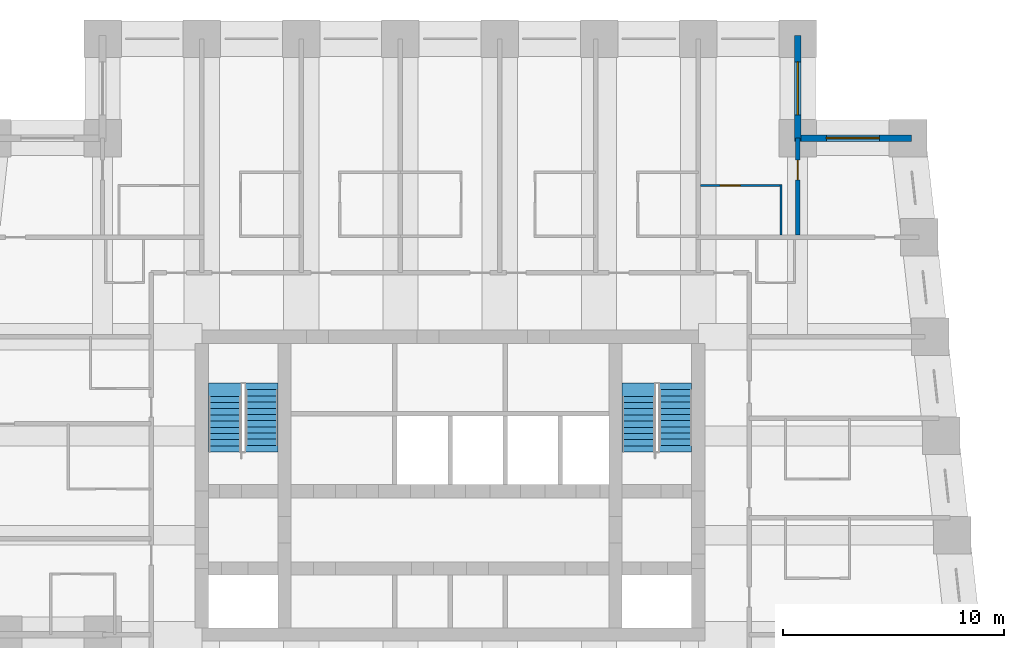
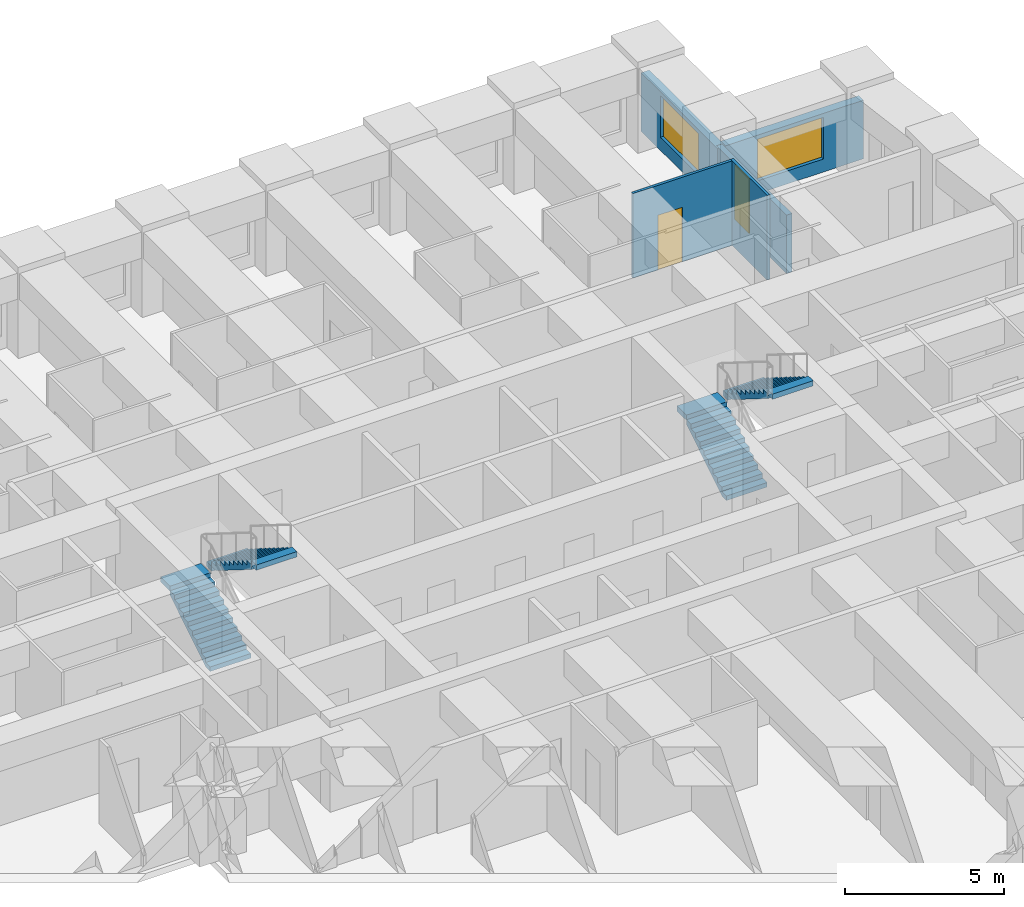
# One storey, part 7 of 8: 5 walls, 4 stair flights, 2 doors, 2 windows, 4 openings, 2 elements without a shape of their own.
"""IFC4 building model written with IfcOpenShell, lengths in metres."""

from ifc_helpers import new_model, si_unit, direction, frame, frame_2d, origin, place, context, subcontext, project, spatial, polyline, rectangle, outline, extrude, material, layer, layer_set, type_object, element, fill, aggregate, save


model = new_model("IFC4")

# Units and contexts
model_context = context("Model", 3, precision=1e-05, world=origin(), true_north=direction((0.0, 1.0)))
body_context = subcontext(model_context, "Body", "Model", "MODEL_VIEW")
ifc_project = project(units=[si_unit("LENGTHUNIT", "METRE"), si_unit("AREAUNIT", "SQUARE_METRE"), si_unit("VOLUMEUNIT", "CUBIC_METRE"), si_unit("PLANEANGLEUNIT", "RADIAN"), si_unit("MASSUNIT", "GRAM", prefix="KILO")], contexts=[model_context])

# Site, building, storey
site_placement = place(None, origin())
site = spatial("IfcSite", under=ifc_project, at=site_placement, CompositionType="ELEMENT")
building_placement = place(site_placement, origin())
building = spatial("IfcBuilding", under=site, at=building_placement, Name="Kilele Tower Hotel", CompositionType="ELEMENT")
storey_placement = place(building_placement, frame((0.0, 0.0, 186.89990234375)))
storey = spatial("IfcBuildingStorey", under=building, at=storey_placement, Name="L48", CompositionType="ELEMENT", Elevation=186.89990234375)

# Wall
ifc_material_1 = material(Name="Moisture-resistant board")
ifc_layer_1 = layer(ifc_material_1, 0.10009765625)
ifc_layer_set_1 = layer_set([ifc_layer_1], Name="Moisture-resistant board")
wall_type_1 = type_object("IfcWallType", Name="Bathroom partition 100", PredefinedType="PLUMBINGWALL", material=ifc_layer_set_1)
wall_1_placement = place(storey_placement, frame((39.75, 31.60009765625, 0.0), z_axis=(0.0, 0.0, 1.0), x_axis=(0.0, 1.0, 0.0)))
element("IfcWall", 1, at=wall_1_placement, inside=storey, type_object=wall_type_1, Name="Bathroom partition 100 L48", PredefinedType="PLUMBINGWALL", context=body_context, shape_type="SweptSolid", body=[
    extrude(rectangle(XDim=2.2998046875, YDim=0.10009765625, at=frame_2d((1.14990234375, 0.0))), origin(), (0.0, 0.0, 1.0), 3.25),
])

# Wall, opening, door
wall_2_placement = place(storey_placement, frame((36.10009765625, 33.85009765625, 0.0), z_axis=(0.0, 0.0, 1.0), x_axis=(1.0, 0.0, 0.0)))
wall_2 = element("IfcWall", 2, at=wall_2_placement, inside=storey, type_object=wall_type_1, Name="Bathroom partition 100 L48", PredefinedType="PLUMBINGWALL", context=body_context, shape_type="SweptSolid", body=[
    extrude(rectangle(XDim=3.699951171875, YDim=0.10009765625, at=frame_2d((1.85009765625, 0.0))), origin(), (0.0, 0.0, 1.0), 3.25),
])
opening_1_placement = place(wall_2_placement, frame((0.89990234375, 0.0, 0.0)))
opening_1 = element("IfcOpeningElement", 3, at=opening_1_placement, cuts=wall_2, Name="Opening D2A", PredefinedType="OPENING", context=body_context, shape_type="SweptSolid", body=[
    extrude(rectangle(XDim=0.89990234375, YDim=2.10009765625, at=frame_2d((0.449951171875, 1.050048828125))), frame((0.0, 0.06005859375, 0.0), z_axis=(0.0, -1.0, 0.0), x_axis=(1.0, 0.0, 0.0)), (0.0, 0.0, 1.0), 0.1201171875),
])
ifc_material_2 = material(Name="Timber door leaf in hardwood frame", Category="wood")
door_type_1 = type_object("IfcDoorType", Name="Bathroom door 900", OperationType="SINGLE_SWING_LEFT", PredefinedType="DOOR", material=ifc_material_2)
door_1_placement = place(opening_1_placement, origin())
door_1 = element("IfcDoor", 4, at=door_1_placement, inside=storey, type_object=door_type_1, Name="Bathroom door 4823B", OperationType="SINGLE_SWING_LEFT", OverallHeight=2.10009765625, OverallWidth=0.89990234375, PredefinedType="DOOR", context=body_context, shape_type="SweptSolid", body=[
    extrude(rectangle(XDim=0.89990234375, YDim=2.10009765625, at=frame_2d((0.449951171875, 1.050048828125))), frame((0.0, 0.02490234375, 0.0), z_axis=(0.0, -1.0, 0.0), x_axis=(1.0, 0.0, 0.0)), (0.0, 0.0, 1.0), 0.050048828125),
])
fill(opening_1, door_1)

ifc_material_3 = material(Name="Blockwork, plastered both sides", Category="masonry")
ifc_layer_2 = layer(ifc_material_3, 0.199951171875)
ifc_layer_set_2 = layer_set([ifc_layer_2], Name="Blockwork, plastered both sides")
wall_type_2 = type_object("IfcWallType", Name="Partition wall 200", PredefinedType="PARTITIONING", material=ifc_layer_set_2)
wall_3_placement = place(storey_placement, frame((40.5, 31.60009765625, 0.0), z_axis=(0.0, 0.0, 1.0), x_axis=(0.0, 1.0, 0.0)))
wall_3 = element("IfcWall", 5, at=wall_3_placement, inside=storey, type_object=wall_type_2, Name="Partition wall 200 L48", PredefinedType="PARTITIONING", context=body_context, shape_type="SweptSolid", body=[
    extrude(rectangle(XDim=4.39990234375, YDim=0.199951171875, at=frame_2d((2.199951171875, 0.0))), origin(), (0.0, 0.0, 1.0), 2.25),
])
opening_2_placement = place(wall_3_placement, frame((2.5, 0.0, 0.0)))
opening_2 = element("IfcOpeningElement", 6, at=opening_2_placement, cuts=wall_3, Name="Opening D3", PredefinedType="OPENING", context=body_context, shape_type="SweptSolid", body=[
    extrude(rectangle(XDim=0.89990234375, YDim=2.10009765625, at=frame_2d((0.449951171875, 1.050048828125))), frame((0.0, 0.10986328125, 0.0), z_axis=(0.0, -1.0, 0.0), x_axis=(1.0, 0.0, 0.0)), (0.0, 0.0, 1.0), 0.219970703125),
])
ifc_material_4 = material(Name="Timber door leaf in hardwood frame", Category="wood")
door_type_2 = type_object("IfcDoorType", Name="Suite internal door 900", OperationType="SINGLE_SWING_LEFT", PredefinedType="DOOR", material=ifc_material_4)
door_2_placement = place(opening_2_placement, origin())
door_2 = element("IfcDoor", 7, at=door_2_placement, inside=storey, type_object=door_type_2, Name="Suite door 4824", OperationType="SINGLE_SWING_LEFT", OverallHeight=2.10009765625, OverallWidth=0.89990234375, PredefinedType="DOOR", context=body_context, shape_type="SweptSolid", body=[
    extrude(rectangle(XDim=0.89990234375, YDim=2.10009765625, at=frame_2d((0.449951171875, 1.050048828125))), frame((0.0, 0.02490234375, 0.0), z_axis=(0.0, -1.0, 0.0), x_axis=(1.0, 0.0, 0.0)), (0.0, 0.0, 1.0), 0.050048828125),
])
fill(opening_2, door_2)

# Wall, opening, window
ifc_material_5 = material(Name="Concrete C40/50 precast", Category="concrete")
ifc_layer_3 = layer(ifc_material_5, 0.260009765625, Name="Precast backing", Category="LoadBearing")
ifc_material_6 = material(Name="Reconstituted stone finish", Category="masonry")
ifc_layer_4 = layer(ifc_material_6, 0.0400390625, Name="Face mix", Category="Finish")
ifc_layer_set_3 = layer_set([ifc_layer_3, ifc_layer_4], Name="Precast concrete C40/50, reconstituted stone finish")
wall_type_3 = type_object("IfcWallType", Name="Precast stone facade wall 300", PredefinedType="STANDARD", material=ifc_layer_set_3)
wall_4_placement = place(storey_placement, frame((45.64990234375, 36.0, 0.0), z_axis=(0.0, 0.0, 1.0), x_axis=(-1.0, 0.0, 0.0)))
wall_4 = element("IfcWall", 8, at=wall_4_placement, inside=storey, type_object=wall_type_3, Name="Facade wall L48 edge 7", PredefinedType="STANDARD", context=body_context, shape_type="SweptSolid", body=[
    extrude(rectangle(XDim=5.2998046875, YDim=0.300048828125, at=frame_2d((2.64990234375, 0.0))), origin(), (0.0, 0.0, 1.0), 2.25),
])
opening_3_placement = place(wall_4_placement, frame((1.449951171875, 0.0, 0.5)))
opening_3 = element("IfcOpeningElement", 9, at=opening_3_placement, cuts=wall_4, Name="Opening W3", PredefinedType="OPENING", context=body_context, shape_type="SweptSolid", body=[
    extrude(rectangle(XDim=2.39990234375, YDim=1.60009765625, at=frame_2d((1.199951171875, 0.800048828125))), frame((0.0, 0.159912109375, 0.0), z_axis=(0.0, -1.0, 0.0), x_axis=(1.0, 0.0, 0.0)), (0.0, 0.0, 1.0), 0.320068359375),
])
ifc_material_7 = material(Name="Aluminium frame, clear double glazing", Category="aluminium")
window_type = type_object("IfcWindowType", Name="Window W3 2400 x 1600", PartitioningType="SINGLE_PANEL", PredefinedType="WINDOW", material=ifc_material_7)
window_1_placement = place(opening_3_placement, origin())
window_1 = element("IfcWindow", 10, at=window_1_placement, inside=storey, type_object=window_type, Name="Window L48", OverallHeight=1.60009765625, OverallWidth=2.39990234375, PartitioningType="SINGLE_PANEL", PredefinedType="WINDOW", context=body_context, shape_type="SweptSolid", body=[
    extrude(rectangle(XDim=2.39990234375, YDim=1.60009765625, at=frame_2d((1.199951171875, 0.800048828125))), frame((0.0, 0.030029296875, 0.0), z_axis=(0.0, -1.0, 0.0), x_axis=(1.0, 0.0, 0.0)), (0.0, 0.0, 1.0), 0.06005859375),
])
fill(opening_3, window_1)

wall_5_placement = place(storey_placement, frame((40.5, 35.85009765625, 0.0), z_axis=(0.0, 0.0, 1.0), x_axis=(0.0, 1.0, 0.0)))
wall_5 = element("IfcWall", 11, at=wall_5_placement, inside=storey, type_object=wall_type_3, Name="Facade wall L48 edge 8", PredefinedType="STANDARD", context=body_context, shape_type="SweptSolid", body=[
    extrude(rectangle(XDim=4.7998046875, YDim=0.300048828125, at=frame_2d((2.39990234375, 0.0))), origin(), (0.0, 0.0, 1.0), 2.25),
])
opening_4_placement = place(wall_5_placement, frame((1.199951171875, 0.0, 0.5)))
opening_4 = element("IfcOpeningElement", 12, at=opening_4_placement, cuts=wall_5, Name="Opening W3", PredefinedType="OPENING", context=body_context, shape_type="SweptSolid", body=[
    extrude(rectangle(XDim=2.39990234375, YDim=1.60009765625, at=frame_2d((1.199951171875, 0.800048828125))), frame((0.0, 0.159912109375, 0.0), z_axis=(0.0, -1.0, 0.0), x_axis=(1.0, 0.0, 0.0)), (0.0, 0.0, 1.0), 0.320068359375),
])
window_2_placement = place(opening_4_placement, origin())
window_2 = element("IfcWindow", 13, at=window_2_placement, inside=storey, type_object=window_type, Name="Window L48", OverallHeight=1.60009765625, OverallWidth=2.39990234375, PartitioningType="SINGLE_PANEL", PredefinedType="WINDOW", context=body_context, shape_type="SweptSolid", body=[
    extrude(rectangle(XDim=2.39990234375, YDim=1.60009765625, at=frame_2d((1.199951171875, 0.800048828125))), frame((0.0, 0.030029296875, 0.0), z_axis=(0.0, -1.0, 0.0), x_axis=(1.0, 0.0, 0.0)), (0.0, 0.0, 1.0), 0.06005859375),
])
fill(opening_4, window_2)

# Stair, stair flights
ifc_material_8 = material(Name="Precast concrete C40/50", Category="concrete")
stair_type = type_object("IfcStairType", Name="Stair 1475 x 3500", PredefinedType="HALF_TURN_STAIR", material=ifc_material_8)
stair_1_placement = place(storey_placement, origin())
stair_1 = element("IfcStair", 14, at=stair_1_placement, inside=storey, type_object=stair_type, Name="Stair 1 L48", PredefinedType="HALF_TURN_STAIR")
ifc_material_9 = material(Name="Precast concrete C40/50", Category="concrete")
stair_flight_type = type_object("IfcStairFlightType", Name="Flight 1475 riser 175.0", PredefinedType="STRAIGHT", material=ifc_material_9)
stair_flight_1_placement = place(storey_placement, frame((14.53759765625, 21.77490234375, 0.0), z_axis=(0.0, 0.0, 1.0), x_axis=(0.0, 1.0, 0.0)))
stair_flight_1 = element("IfcStairFlight", 15, at=stair_flight_1_placement, type_object=stair_flight_type, Name="ST1 flight 1", NumberOfRisers=10, NumberOfTreads=9, PredefinedType="STRAIGHT", RiserHeight=0.175, TreadLength=0.28, context=body_context, shape_type="SweptSolid", body=[
    extrude(outline(polyline([(0.0, 0.0), (0.0, 0.175048828125), (0.280029296875, 0.175048828125), (0.280029296875, 0.35009765625), (0.56005859375, 0.35009765625), (0.56005859375, 0.52490234375), (0.840087890625, 0.52490234375), (0.840087890625, 0.699951171875), (1.1201171875, 0.699951171875), (1.1201171875, 0.875), (1.39990234375, 0.875), (1.39990234375, 1.050048828125), (1.679931640625, 1.050048828125), (1.679931640625, 1.22509765625), (1.9599609375, 1.22509765625), (1.9599609375, 1.39990234375), (2.239990234375, 1.39990234375), (2.239990234375, 1.574951171875), (2.52001953125, 1.574951171875), (2.52001953125, 1.75), (2.52001953125, 1.398193359375), (0.28271484375, 0.0), (0.0, 0.0)])), frame((0.0, 0.737548828125, 0.0), z_axis=(0.0, -1.0, 0.0), x_axis=(1.0, 0.0, 0.0)), (0.0, 0.0, 1.0), 1.47509765625),
    extrude(outline(polyline([(2.52001953125, 0.737548828125), (2.52001953125, -0.7373046875), (3.1201171875, -0.7373046875), (3.1201171875, 0.737548828125), (2.52001953125, 0.737548828125)])), frame((0.0, 0.0, 1.550048828125)), (0.0, 0.0, 1.0), 0.199951171875),
])
stair_flight_2_placement = place(storey_placement, frame((16.21240234375, 24.594970703125, 1.75), z_axis=(0.0, 0.0, 1.0), x_axis=(0.0, -1.0, 0.0)))
stair_flight_2 = element("IfcStairFlight", 16, at=stair_flight_2_placement, type_object=stair_flight_type, Name="ST1 flight 2", NumberOfRisers=10, NumberOfTreads=9, PredefinedType="STRAIGHT", RiserHeight=0.175, TreadLength=0.28, context=body_context, shape_type="SweptSolid", body=[
    extrude(outline(polyline([(0.0, 0.0), (0.0, 0.175048828125), (0.280029296875, 0.175048828125), (0.280029296875, 0.35009765625), (0.56005859375, 0.35009765625), (0.56005859375, 0.52490234375), (0.840087890625, 0.52490234375), (0.840087890625, 0.699951171875), (1.1201171875, 0.699951171875), (1.1201171875, 0.875), (1.39990234375, 0.875), (1.39990234375, 1.050048828125), (1.679931640625, 1.050048828125), (1.679931640625, 1.22509765625), (1.9599609375, 1.22509765625), (1.9599609375, 1.39990234375), (2.239990234375, 1.39990234375), (2.239990234375, 1.574951171875), (2.52001953125, 1.574951171875), (2.52001953125, 1.75), (2.52001953125, 1.398193359375), (0.28271484375, 0.0), (0.0, 0.0)])), frame((0.0, 0.737548828125, 0.0), z_axis=(0.0, -1.0, 0.0), x_axis=(1.0, 0.0, 0.0)), (0.0, 0.0, 1.0), 1.47509765625),
    extrude(outline(polyline([(0.0, -0.7373046875), (0.0, 0.737548828125), (-0.300048828125, 0.737548828125), (-0.300048828125, -0.7373046875), (0.0, -0.7373046875)])), frame((0.0, 0.0, -0.199951171875)), (0.0, 0.0, 1.0), 0.199951171875),
    extrude(outline(polyline([(2.820068359375, -0.7373046875), (2.820068359375, 0.737548828125), (2.52001953125, 0.737548828125), (2.52001953125, -0.7373046875), (2.820068359375, -0.7373046875)])), frame((0.0, 0.0, 1.550048828125)), (0.0, 0.0, 1.0), 0.199951171875),
])
aggregate(stair_1, [stair_flight_1, stair_flight_2])

stair_2_placement = place(storey_placement, origin())
stair_2 = element("IfcStair", 17, at=stair_2_placement, inside=storey, type_object=stair_type, Name="Stair 2 L48", PredefinedType="HALF_TURN_STAIR")
stair_flight_3_placement = place(storey_placement, frame((33.28759765625, 21.77490234375, 0.0), z_axis=(0.0, 0.0, 1.0), x_axis=(0.0, 1.0, 0.0)))
stair_flight_3 = element("IfcStairFlight", 18, at=stair_flight_3_placement, type_object=stair_flight_type, Name="ST2 flight 1", NumberOfRisers=10, NumberOfTreads=9, PredefinedType="STRAIGHT", RiserHeight=0.175, TreadLength=0.28, context=body_context, shape_type="SweptSolid", body=[
    extrude(outline(polyline([(0.0, 0.0), (0.0, 0.175048828125), (0.280029296875, 0.175048828125), (0.280029296875, 0.35009765625), (0.56005859375, 0.35009765625), (0.56005859375, 0.52490234375), (0.840087890625, 0.52490234375), (0.840087890625, 0.699951171875), (1.1201171875, 0.699951171875), (1.1201171875, 0.875), (1.39990234375, 0.875), (1.39990234375, 1.050048828125), (1.679931640625, 1.050048828125), (1.679931640625, 1.22509765625), (1.9599609375, 1.22509765625), (1.9599609375, 1.39990234375), (2.239990234375, 1.39990234375), (2.239990234375, 1.574951171875), (2.52001953125, 1.574951171875), (2.52001953125, 1.75), (2.52001953125, 1.398193359375), (0.28271484375, 0.0), (0.0, 0.0)])), frame((0.0, 0.737548828125, 0.0), z_axis=(0.0, -1.0, 0.0), x_axis=(1.0, 0.0, 0.0)), (0.0, 0.0, 1.0), 1.47509765625),
    extrude(outline(polyline([(2.52001953125, 0.737548828125), (2.52001953125, -0.7373046875), (3.1201171875, -0.7373046875), (3.1201171875, 0.737548828125), (2.52001953125, 0.737548828125)])), frame((0.0, 0.0, 1.550048828125)), (0.0, 0.0, 1.0), 0.199951171875),
])
stair_flight_4_placement = place(storey_placement, frame((34.96240234375, 24.594970703125, 1.75), z_axis=(0.0, 0.0, 1.0), x_axis=(0.0, -1.0, 0.0)))
stair_flight_4 = element("IfcStairFlight", 19, at=stair_flight_4_placement, type_object=stair_flight_type, Name="ST2 flight 2", NumberOfRisers=10, NumberOfTreads=9, PredefinedType="STRAIGHT", RiserHeight=0.175, TreadLength=0.28, context=body_context, shape_type="SweptSolid", body=[
    extrude(outline(polyline([(0.0, 0.0), (0.0, 0.175048828125), (0.280029296875, 0.175048828125), (0.280029296875, 0.35009765625), (0.56005859375, 0.35009765625), (0.56005859375, 0.52490234375), (0.840087890625, 0.52490234375), (0.840087890625, 0.699951171875), (1.1201171875, 0.699951171875), (1.1201171875, 0.875), (1.39990234375, 0.875), (1.39990234375, 1.050048828125), (1.679931640625, 1.050048828125), (1.679931640625, 1.22509765625), (1.9599609375, 1.22509765625), (1.9599609375, 1.39990234375), (2.239990234375, 1.39990234375), (2.239990234375, 1.574951171875), (2.52001953125, 1.574951171875), (2.52001953125, 1.75), (2.52001953125, 1.398193359375), (0.28271484375, 0.0), (0.0, 0.0)])), frame((0.0, 0.737548828125, 0.0), z_axis=(0.0, -1.0, 0.0), x_axis=(1.0, 0.0, 0.0)), (0.0, 0.0, 1.0), 1.47509765625),
    extrude(outline(polyline([(0.0, -0.7373046875), (0.0, 0.737548828125), (-0.300048828125, 0.737548828125), (-0.300048828125, -0.7373046875), (0.0, -0.7373046875)])), frame((0.0, 0.0, -0.199951171875)), (0.0, 0.0, 1.0), 0.199951171875),
    extrude(outline(polyline([(2.820068359375, -0.7373046875), (2.820068359375, 0.737548828125), (2.52001953125, 0.737548828125), (2.52001953125, -0.7373046875), (2.820068359375, -0.7373046875)])), frame((0.0, 0.0, 1.550048828125)), (0.0, 0.0, 1.0), 0.199951171875),
])
aggregate(stair_2, [stair_flight_3, stair_flight_4])

save(model, "model.ifc")
